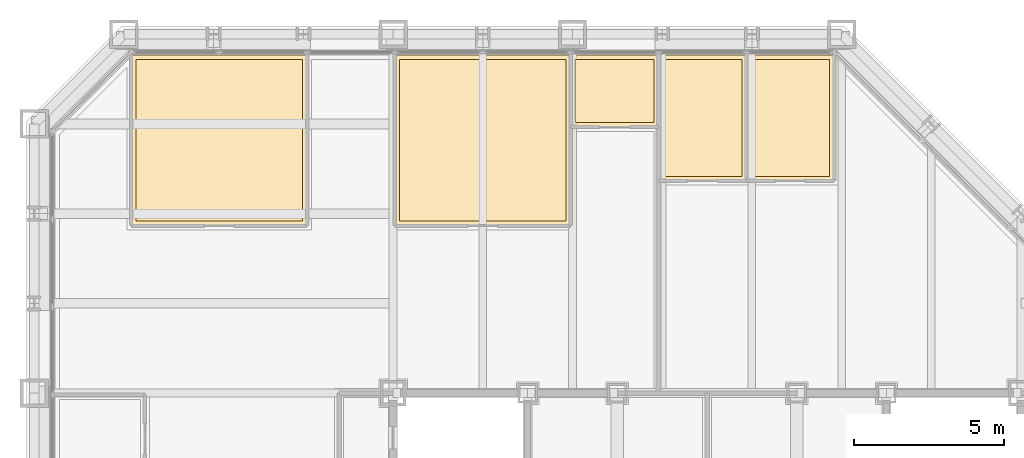
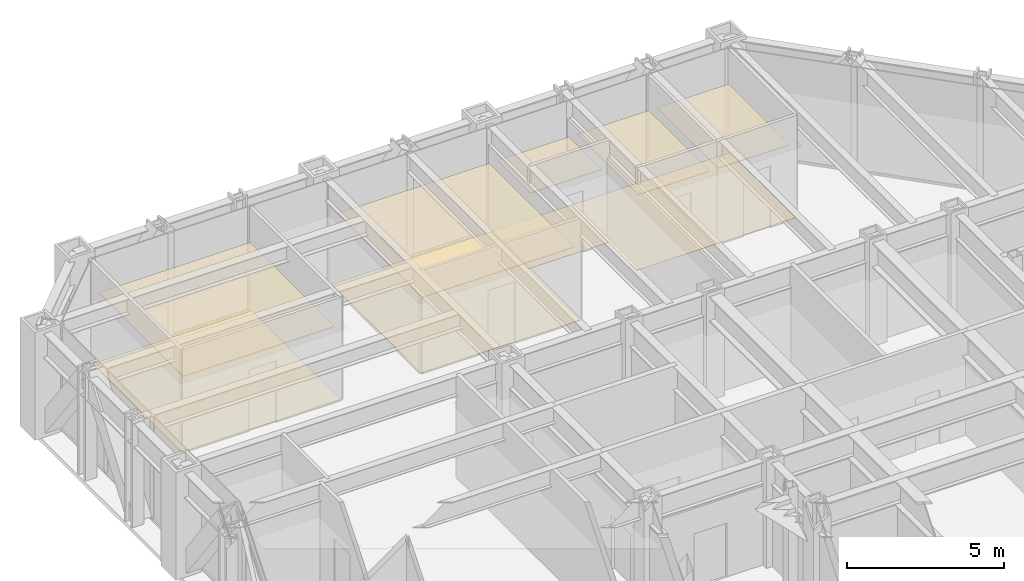
# One storey, part 16 of 16: 10 coverings.
"""IFC4 building model written with IfcOpenShell, lengths in metres."""

from ifc_helpers import new_model, si_unit, direction, frame, origin, place, context, subcontext, project, spatial, polyline, outline, extrude, material, layer, layer_set, type_object, element, save


model = new_model("IFC4")

# Units and contexts
model_context = context("Model", 3, precision=1e-05, world=origin(), true_north=direction((0.0, 1.0)))
body_context = subcontext(model_context, "Body", "Model", "MODEL_VIEW")
ifc_project = project(units=[si_unit("LENGTHUNIT", "METRE"), si_unit("AREAUNIT", "SQUARE_METRE"), si_unit("VOLUMEUNIT", "CUBIC_METRE"), si_unit("PLANEANGLEUNIT", "RADIAN"), si_unit("MASSUNIT", "GRAM", prefix="KILO")], contexts=[model_context])

# Site, building, storey
site_placement = place(None, origin())
site = spatial("IfcSite", under=ifc_project, at=site_placement, CompositionType="ELEMENT")
building_placement = place(site_placement, origin())
building = spatial("IfcBuilding", under=site, at=building_placement, Name="Chuquiago Exchange Tower", CompositionType="ELEMENT")
storey_placement = place(building_placement, frame((0.0, 0.0, 153.0)))
storey = spatial("IfcBuildingStorey", under=building, at=storey_placement, Name="L33", CompositionType="ELEMENT", Elevation=153.0)

# Coverings
ifc_material_1 = material(Name="Mineral fibre tile, 600 x 600, on pale metal grid", Category="mineral fibre")
ifc_layer_1 = layer(ifc_material_1, 0.02001953125)
ifc_layer_set_1 = layer_set([ifc_layer_1], Name="CL1 suspended tile ceiling 20")
covering_type_1 = type_object("IfcCoveringType", Name="CL1 suspended tile ceiling 20", PredefinedType="CEILING", material=ifc_layer_set_1)
covering_1_placement = place(storey_placement, frame((0.0, 0.0, 2.800048828125)))
element("IfcCovering", 1, at=covering_1_placement, inside=storey, type_object=covering_type_1, Name="Ceiling Research office", PredefinedType="CEILING", context=body_context, shape_type="SweptSolid", body=[
    extrude(outline(polyline([(8.974365234375, 44.14990234375), (8.974365234375, 38.75), (3.3984375, 38.75), (3.3984375, 44.14990234375), (8.974365234375, 44.14990234375)])), origin(), (0.0, 0.0, 1.0), 0.02001953125),
])
covering_2_placement = place(storey_placement, frame((0.0, 0.0, 2.800048828125)))
element("IfcCovering", 2, at=covering_2_placement, inside=storey, type_object=covering_type_1, Name="Ceiling Research office", PredefinedType="CEILING", context=body_context, shape_type="SweptSolid", body=[
    extrude(outline(polyline([(17.787841796875, 38.75), (12.212158203125, 38.75), (12.212158203125, 44.14990234375), (17.787841796875, 44.14990234375), (17.787841796875, 38.75)])), origin(), (0.0, 0.0, 1.0), 0.02001953125),
])
covering_3_placement = place(storey_placement, frame((0.0, 0.0, 2.800048828125)))
element("IfcCovering", 3, at=covering_3_placement, inside=storey, type_object=covering_type_1, Name="Ceiling Focus room", PredefinedType="CEILING", context=body_context, shape_type="SweptSolid", body=[
    extrude(outline(polyline([(20.7255859375, 42.050048828125), (18.087890625, 42.050048828125), (18.087890625, 44.14990234375), (20.7255859375, 44.14990234375), (20.7255859375, 42.050048828125)])), origin(), (0.0, 0.0, 1.0), 0.02001953125),
])
covering_4_placement = place(storey_placement, frame((0.0, 0.0, 2.800048828125)))
element("IfcCovering", 4, at=covering_4_placement, inside=storey, type_object=covering_type_1, Name="Ceiling Office", PredefinedType="CEILING", context=body_context, shape_type="SweptSolid", body=[
    extrude(outline(polyline([(23.66357421875, 40.25), (21.025634765625, 40.25), (21.025634765625, 44.14990234375), (23.66357421875, 44.14990234375), (23.66357421875, 40.25)])), origin(), (0.0, 0.0, 1.0), 0.02001953125),
])
covering_5_placement = place(storey_placement, frame((0.0, 0.0, 2.800048828125)))
element("IfcCovering", 5, at=covering_5_placement, inside=storey, type_object=covering_type_1, Name="Ceiling Office", PredefinedType="CEILING", context=body_context, shape_type="SweptSolid", body=[
    extrude(outline(polyline([(26.6015625, 40.25), (23.963623046875, 40.25), (23.963623046875, 44.14990234375), (26.6015625, 44.14990234375), (26.6015625, 40.25)])), origin(), (0.0, 0.0, 1.0), 0.02001953125),
])
ifc_material_2 = material(Name="Carpet tile, 500 x 500, on the floor slab", Category="textile")
ifc_layer_2 = layer(ifc_material_2, 0.010009765625)
ifc_layer_set_2 = layer_set([ifc_layer_2], Name="FL1 carpet tile 10")
covering_type_2 = type_object("IfcCoveringType", Name="FL1 carpet tile 10", PredefinedType="FLOORING", material=ifc_layer_set_2)
covering_6_placement = place(storey_placement, origin())
element("IfcCovering", 6, at=covering_6_placement, inside=storey, type_object=covering_type_2, Name="Floor finish Research office", PredefinedType="FLOORING", context=body_context, shape_type="SweptSolid", body=[
    extrude(outline(polyline([(3.289794921875, 44.300048828125), (9.124267578125, 44.300048828125), (9.124267578125, 38.60009765625), (3.24853515625, 38.60009765625), (3.24853515625, 44.258544921875), (3.289794921875, 44.300048828125)])), origin(), (0.0, 0.0, 1.0), 0.010009765625),
])
covering_7_placement = place(storey_placement, origin())
element("IfcCovering", 7, at=covering_7_placement, inside=storey, type_object=covering_type_2, Name="Floor finish Research office", PredefinedType="FLOORING", context=body_context, shape_type="SweptSolid", body=[
    extrude(outline(polyline([(17.93798828125, 44.300048828125), (17.93798828125, 38.60009765625), (12.06201171875, 38.60009765625), (12.06201171875, 44.300048828125), (17.93798828125, 44.300048828125)])), origin(), (0.0, 0.0, 1.0), 0.010009765625),
])
covering_8_placement = place(storey_placement, origin())
element("IfcCovering", 8, at=covering_8_placement, inside=storey, type_object=covering_type_2, Name="Floor finish Focus room", PredefinedType="FLOORING", context=body_context, shape_type="SweptSolid", body=[
    extrude(outline(polyline([(20.875732421875, 44.300048828125), (20.875732421875, 41.89990234375), (17.93798828125, 41.89990234375), (17.93798828125, 44.300048828125), (20.875732421875, 44.300048828125)])), origin(), (0.0, 0.0, 1.0), 0.010009765625),
])
covering_9_placement = place(storey_placement, origin())
element("IfcCovering", 9, at=covering_9_placement, inside=storey, type_object=covering_type_2, Name="Floor finish Office", PredefinedType="FLOORING", context=body_context, shape_type="SweptSolid", body=[
    extrude(outline(polyline([(23.813720703125, 44.300048828125), (23.813720703125, 40.10009765625), (20.875732421875, 40.10009765625), (20.875732421875, 44.300048828125), (23.813720703125, 44.300048828125)])), origin(), (0.0, 0.0, 1.0), 0.010009765625),
])
covering_10_placement = place(storey_placement, origin())
element("IfcCovering", 10, at=covering_10_placement, inside=storey, type_object=covering_type_2, Name="Floor finish Office", PredefinedType="FLOORING", context=body_context, shape_type="SweptSolid", body=[
    extrude(outline(polyline([(26.710205078125, 44.300048828125), (26.75146484375, 44.258544921875), (26.75146484375, 40.10009765625), (23.813720703125, 40.10009765625), (23.813720703125, 44.300048828125), (26.710205078125, 44.300048828125)])), origin(), (0.0, 0.0, 1.0), 0.010009765625),
])

save(model, "model.ifc")
